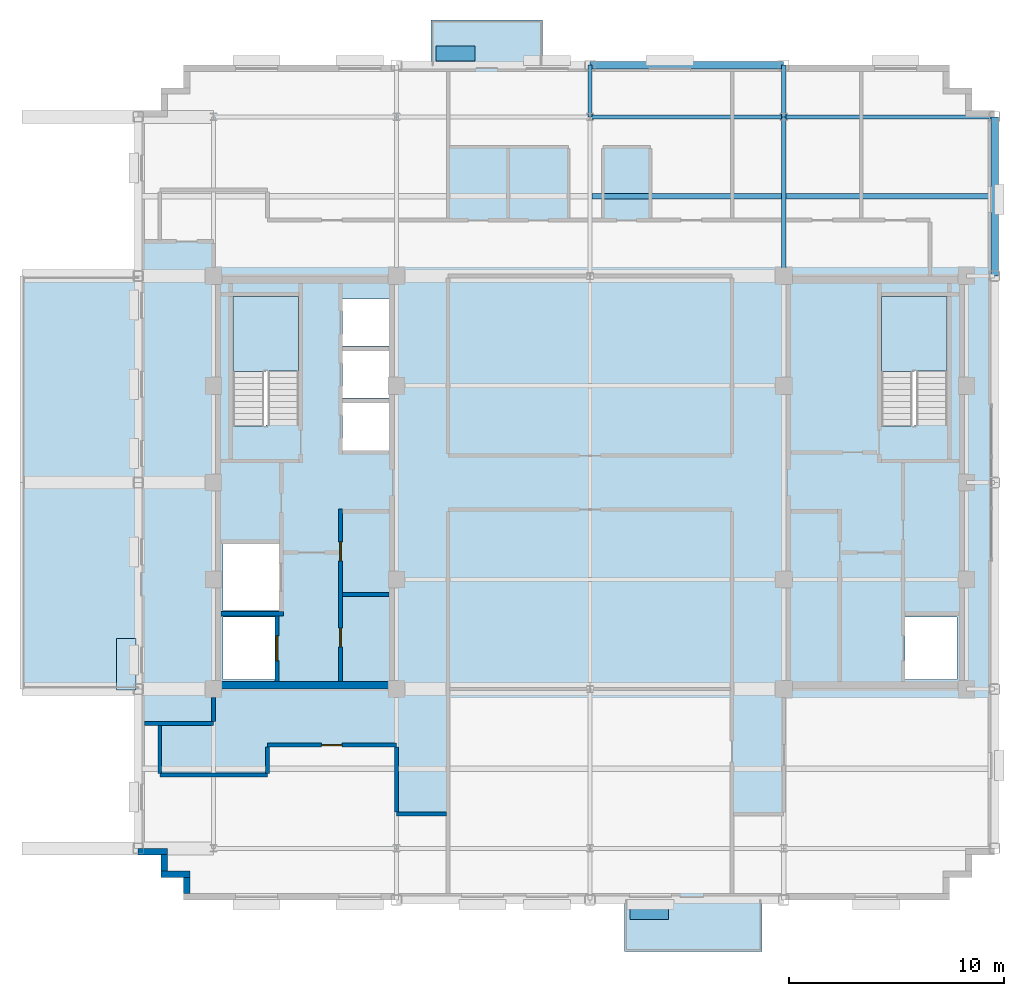
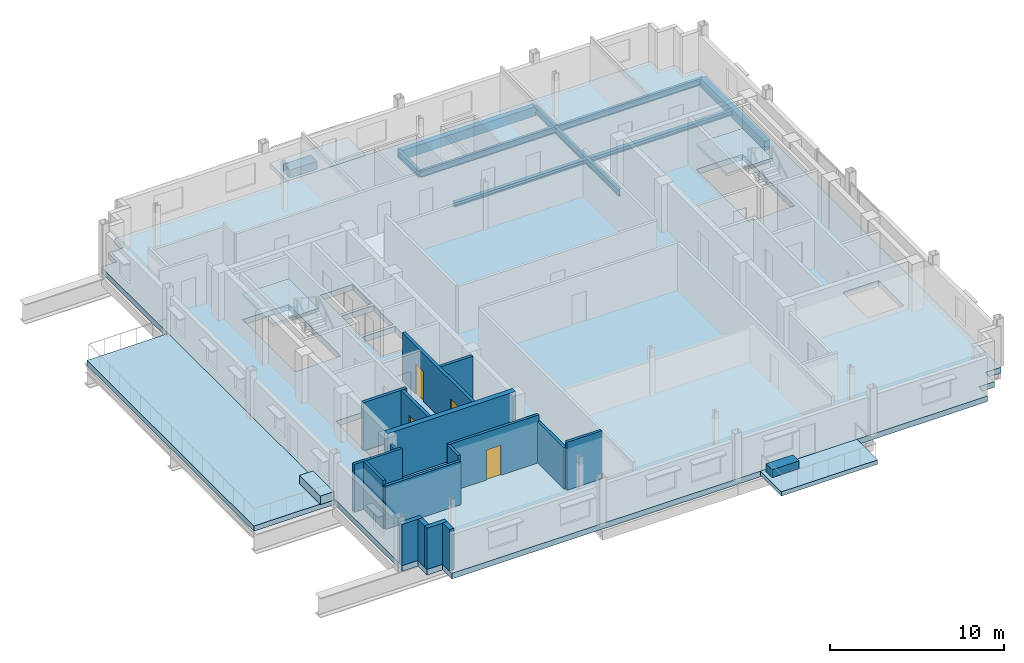
# One storey, part 5 of 14: 17 walls, 9 beams, 6 slabs, 4 doors, 3 plates, 4 openings, 2 elements without a shape of their own.
"""IFC4 building model written with IfcOpenShell, lengths in metres."""

import ifcopenshell
import ifcopenshell.guid

model = None  # the IFC model being written
_history = None  # IfcOwnerHistory: only IFC2X3 demands one
_inside = {}  # id of a spatial element -> (the spatial element, [elements in it])
_under = {}  # id of a project, library or spatial element -> (it, [spatial elements below it])
_declared = {}  # id of a project -> (the project, [libraries it declares])
_typed = {}  # id of a type object -> (the type object, [elements of that type])
_made_of = {}  # id of a material, layer set ... -> (it, [elements and type objects made of it])


def new_model(schema):
    """Start an empty IFC model of exactly this schema.

    Asked for "IFC4X3", IfcOpenShell would pick the latest addendum, in which some entities
    have other attributes; the version numbers below select the first issue.
    IFC2X3 requires an IfcOwnerHistory on every rooted entity: one is made here for all.
    """
    global model, _history
    if schema == "IFC4X3":
        model = ifcopenshell.file(schema_version=(4, 3, 0, 0))
    else:
        model = ifcopenshell.file(schema=schema)
    _inside.clear()
    _under.clear()
    _declared.clear()
    _typed.clear()
    _made_of.clear()
    _history = None
    if model.schema == "IFC2X3":
        org = make("IfcOrganization", Name="unknown")
        user = make(
            "IfcPersonAndOrganization",
            ThePerson=make("IfcPerson", FamilyName="unknown"),
            TheOrganization=org,
        )
        app = make(
            "IfcApplication",
            ApplicationDeveloper=org,
            Version="unknown",
            ApplicationFullName="unknown",
            ApplicationIdentifier="unknown",
        )
        _history = make(
            "IfcOwnerHistory",
            OwningUser=user,
            OwningApplication=app,
            ChangeAction="ADDED",
            CreationDate=0,
        )
    return model


def make(cls, **values):
    """One entity of the class cls with the attributes given. An attribute that is None is left unset."""
    return model.create_entity(
        cls, **{name: value for name, value in values.items() if value is not None}
    )


def rooted(cls, **values):
    """An entity with a GlobalId (a new one), such as an element, a storey or a relation."""
    return make(cls, GlobalId=ifcopenshell.guid.new(), OwnerHistory=_history, **values)


def si_unit(unit_type, name, prefix=None):
    """IfcSIUnit, for example si_unit("LENGTHUNIT", "METRE", prefix="MILLI")."""
    return make("IfcSIUnit", UnitType=unit_type, Prefix=prefix, Name=name)


def assignment(units):
    """IfcUnitAssignment: the units of a project."""
    return None if units is None else make("IfcUnitAssignment", Units=units)


def point(xyz):
    """IfcCartesianPoint."""
    return None if xyz is None else make("IfcCartesianPoint", Coordinates=xyz)


def direction(xyz):
    """IfcDirection."""
    return None if xyz is None else make("IfcDirection", DirectionRatios=xyz)


def frame(location, z_axis=None, x_axis=None):
    """IfcAxis2Placement3D, a coordinate frame: its origin and axes. An axis left out is left unset."""
    return make(
        "IfcAxis2Placement3D",
        Location=point(location),
        Axis=direction(z_axis),
        RefDirection=direction(x_axis),
    )


def frame_2d(location, x_axis=None):
    """IfcAxis2Placement2D, a coordinate frame in the plane: its origin and x axis."""
    return make(
        "IfcAxis2Placement2D", Location=point(location), RefDirection=direction(x_axis)
    )


def origin():
    """The frame at (0, 0, 0) with its axes left unset."""
    return frame((0.0, 0.0, 0.0))


def origin_2d():
    """The frame at (0, 0) in the plane with its x axis left unset."""
    return frame_2d((0.0, 0.0))


def place(relative_to, where):
    """IfcLocalPlacement: puts the frame where relative to a parent placement (None: the world)."""
    return make(
        "IfcLocalPlacement", PlacementRelTo=relative_to, RelativePlacement=where
    )


def context(
    kind, dimensions, precision=None, world=None, true_north=None, identifier=None
):
    """IfcGeometricRepresentationContext, for example the 3D "Model" context."""
    return make(
        "IfcGeometricRepresentationContext",
        ContextIdentifier=identifier,
        ContextType=kind,
        CoordinateSpaceDimension=dimensions,
        Precision=precision,
        WorldCoordinateSystem=world,
        TrueNorth=true_north,
    )


def subcontext(parent, identifier, kind, view, scale=None):
    """IfcGeometricRepresentationSubContext, for example "Body" below "Model"."""
    return make(
        "IfcGeometricRepresentationSubContext",
        ContextIdentifier=identifier,
        ContextType=kind,
        ParentContext=parent,
        TargetScale=scale,
        TargetView=view,
    )


def project(units=None, contexts=None):
    """IfcProject with its units and contexts."""
    return rooted(
        "IfcProject",
        Name="project",
        RepresentationContexts=contexts,
        UnitsInContext=assignment(units),
    )


def spatial(cls, under=None, at=None, **own):
    """A site, building, storey or space (cls), placed at a placement, below another one or the project."""
    s = rooted(cls, ObjectPlacement=at, **own)
    if under is not None:
        _under.setdefault(under.id(), (under, []))[1].append(s)
    return s


def polyline(points):
    """IfcPolyline through the points."""
    return make("IfcPolyline", Points=[point(p) for p in points])


def profile(cls, at=None, kind="AREA", **sizes):
    """A parametric profile (cls). Its sizes go by their IFC names, for example OverallWidth=200.0."""
    return make(cls, ProfileType=kind, Position=at, **sizes)


def rectangle(**sizes):
    """IfcRectangleProfileDef."""
    return profile("IfcRectangleProfileDef", **sizes)


def i_section(**sizes):
    """IfcIShapeProfileDef."""
    return profile("IfcIShapeProfileDef", **sizes)


def outline(outer, holes=None, kind="AREA"):
    """IfcArbitraryClosedProfileDef: a profile drawn as a closed curve; with holes, ...WithVoids."""
    if holes is None:
        return make("IfcArbitraryClosedProfileDef", ProfileType=kind, OuterCurve=outer)
    return make(
        "IfcArbitraryProfileDefWithVoids",
        ProfileType=kind,
        OuterCurve=outer,
        InnerCurves=holes,
    )


def extrude(swept, where, along, depth):
    """IfcExtrudedAreaSolid: the profile swept, set in the frame where, extruded along a direction by depth."""
    return make(
        "IfcExtrudedAreaSolid",
        SweptArea=swept,
        Position=where,
        ExtrudedDirection=direction(along),
        Depth=depth,
    )


def shape(context_of_items, identifier, shape_type, items):
    """IfcShapeRepresentation: the items that make up one representation, for example the "Body"."""
    return make(
        "IfcShapeRepresentation",
        ContextOfItems=context_of_items,
        RepresentationIdentifier=identifier,
        RepresentationType=shape_type,
        Items=items,
    )


def source(mapping_origin, context_of_items, identifier, shape_type, items):
    """IfcRepresentationMap: a shape defined once, which mapped items show again and again."""
    return make(
        "IfcRepresentationMap",
        MappingOrigin=mapping_origin,
        MappedRepresentation=shape(context_of_items, identifier, shape_type, items),
    )


def transform(
    local_origin,
    x_axis=None,
    y_axis=None,
    z_axis=None,
    scale=None,
    scale2=None,
    scale3=None,
    uniform=True,
):
    """IfcCartesianTransformationOperator3D, or its non-uniform kind. x_axis, y_axis, z_axis: its Axis1, 2, 3."""
    if uniform:
        return make(
            "IfcCartesianTransformationOperator3D",
            Axis1=direction(x_axis),
            Axis2=direction(y_axis),
            LocalOrigin=point(local_origin),
            Scale=scale,
            Axis3=direction(z_axis),
        )
    return make(
        "IfcCartesianTransformationOperator3DnonUniform",
        Axis1=direction(x_axis),
        Axis2=direction(y_axis),
        LocalOrigin=point(local_origin),
        Scale=scale,
        Axis3=direction(z_axis),
        Scale2=scale2,
        Scale3=scale3,
    )


def mapped(mapping_source, mapping_target):
    """IfcMappedItem: shows the shape of a source again, moved by a transform."""
    return make(
        "IfcMappedItem", MappingSource=mapping_source, MappingTarget=mapping_target
    )


def material(Name=None, Category=None):
    """IfcMaterial."""
    return make("IfcMaterial", Name=Name, Category=Category)


def layer(
    of_material, thickness, ventilated=None, Name=None, Category=None, Priority=None
):
    """IfcMaterialLayer: one layer of a wall or slab, of a material (None: an air gap)."""
    return make(
        "IfcMaterialLayer",
        Material=of_material,
        LayerThickness=thickness,
        IsVentilated=ventilated,
        Name=Name,
        Category=Category,
        Priority=Priority,
    )


def layer_set(layers, Name=None):
    """IfcMaterialLayerSet."""
    return make("IfcMaterialLayerSet", MaterialLayers=layers, LayerSetName=Name)


def material_profile(
    of_material, cross_section, Name=None, Category=None, Priority=None
):
    """IfcMaterialProfile: a cross section and its material."""
    return make(
        "IfcMaterialProfile",
        Name=Name,
        Material=of_material,
        Profile=cross_section,
        Priority=Priority,
        Category=Category,
    )


def profile_set(profiles, Name=None, composite=None):
    """IfcMaterialProfileSet."""
    return make(
        "IfcMaterialProfileSet",
        Name=Name,
        MaterialProfiles=profiles,
        CompositeProfile=composite,
    )


def made_of(thing, what):
    """Note that an element or type object is made of a material, layer set ...; save() writes the relation."""
    if what is not None:
        _made_of.setdefault(what.id(), (what, []))[1].append(thing)
    return thing


def type_object(cls, material=None, **own):
    """A type object (cls), such as IfcWallType, which elements share."""
    return made_of(rooted(cls, **own), material)


def type_shapes(of_type, sources):
    """Give a type object the sources (RepresentationMaps) that its elements show as mapped items."""
    of_type.RepresentationMaps = sources


def element(
    cls,
    number,
    at=None,
    inside=None,
    cuts=None,
    type_object=None,
    material=None,
    context=None,
    identifier="Body",
    shape_type=None,
    held_by="IfcProductDefinitionShape",
    body=None,
    shapes=None,
    **own,
):
    """One element of the class cls, such as IfcWall. Its Tag is "e" and its number.

    at: its placement. inside: the storey or other place that contains it. cuts: it is an
    opening in that element (IfcRelVoidsElement). A single representation is given by context,
    identifier, shape_type and body (its items); several are given by shapes. held_by: the class
    of the entity that holds the representations. save() writes the other relations.
    """
    e = rooted(cls, Tag="e%d" % number, ObjectPlacement=at, **own)
    if body is not None:
        shapes = [shape(context, identifier, shape_type, body)]
    if shapes is not None:
        e.Representation = make(held_by, Representations=shapes)
    if inside is not None:
        _inside.setdefault(inside.id(), (inside, []))[1].append(e)
    if cuts is not None:
        rooted(
            "IfcRelVoidsElement", RelatingBuildingElement=cuts, RelatedOpeningElement=e
        )
    if type_object is not None:
        _typed.setdefault(type_object.id(), (type_object, []))[1].append(e)
    return made_of(e, material)


def fill(opening, filler):
    """IfcRelFillsElement: the door or window that sits in an opening."""
    return rooted(
        "IfcRelFillsElement",
        RelatingOpeningElement=opening,
        RelatedBuildingElement=filler,
    )


def aggregate(whole, parts):
    """IfcRelAggregates: a whole, such as a stair, and the parts it consists of."""
    return rooted("IfcRelAggregates", RelatingObject=whole, RelatedObjects=parts)


def save(model, path):
    """Write the relations noted so far, then the file.

    IfcRelAggregates (storeys below a building ...), IfcRelContainedInSpatialStructure (elements
    in a storey), IfcRelDefinesByType, IfcRelAssociatesMaterial and IfcRelDeclares: one each for
    every whole, place, type object, material and project.
    """
    for whole, parts in _under.values():
        aggregate(whole, parts)
    for where, things in _inside.values():
        rooted(
            "IfcRelContainedInSpatialStructure",
            RelatedElements=things,
            RelatingStructure=where,
        )
    for kind, things in _typed.values():
        rooted("IfcRelDefinesByType", RelatedObjects=things, RelatingType=kind)
    for what, things in _made_of.values():
        rooted("IfcRelAssociatesMaterial", RelatedObjects=things, RelatingMaterial=what)
    for by, libraries in _declared.values():
        rooted("IfcRelDeclares", RelatingContext=by, RelatedDefinitions=libraries)
    model.write(path)


model = new_model("IFC4")

# Units and contexts
model_context = context("Model", 3, precision=1e-05, world=origin(), true_north=direction((0.0, 1.0)))
body_context = subcontext(model_context, "Body", "Model", "MODEL_VIEW")
ifc_project = project(units=[si_unit("LENGTHUNIT", "METRE"), si_unit("AREAUNIT", "SQUARE_METRE"), si_unit("VOLUMEUNIT", "CUBIC_METRE"), si_unit("PLANEANGLEUNIT", "RADIAN"), si_unit("MASSUNIT", "GRAM", prefix="KILO")], contexts=[model_context])

# Site, building, storey
site_placement = place(None, origin())
site = spatial("IfcSite", under=ifc_project, at=site_placement, CompositionType="ELEMENT")
building_placement = place(site_placement, origin())
building = spatial("IfcBuilding", under=site, at=building_placement, Name="Nuvemarco Arch Tower", CompositionType="ELEMENT")
storey_placement = place(building_placement, frame((0.0, 0.0, 245.64990234375)))
storey = spatial("IfcBuildingStorey", under=building, at=storey_placement, Name="L65", CompositionType="ELEMENT", Elevation=245.64990234375)

# Beams
ifc_material_1 = material(Name="Steel S355", Category="steel")
ifc_material_profile_1 = material_profile(ifc_material_1, i_section(OverallWidth=0.19189453125, OverallDepth=0.462890625, WebThickness=0.010498046875, FlangeThickness=0.017578125, FilletRadius=0.014892578125, at=origin_2d()), Name="W460x89")
ifc_profile_set_1 = profile_set([ifc_material_profile_1], Name="Steel S355")
beam_type_1 = type_object("IfcBeamType", Name="BM-GIRD-460", PredefinedType="BEAM", material=ifc_profile_set_1)
beam_1_placement = place(storey_placement, frame((0.0, 17.0, -0.63134765625), z_axis=(0.0, 1.0, 0.0), x_axis=(-1.0, 0.0, 0.0)))
element("IfcBeam", 1, at=beam_1_placement, inside=storey, type_object=beam_type_1, Name="L65 structural beam BGNS_L65_0_+0.0_+17.0", PredefinedType="BEAM", context=body_context, shape_type="SweptSolid", body=[
    extrude(i_section(OverallWidth=0.19189453125, OverallDepth=0.462890625, WebThickness=0.010498046875, FlangeThickness=0.017578125, FilletRadius=0.014892578125, at=origin_2d()), origin(), (0.0, 0.0, 1.0), 2.39990234375),
])
beam_2_placement = place(storey_placement, frame((9.0, 9.60009765625, -0.63134765625), z_axis=(0.0, 1.0, 0.0), x_axis=(-1.0, 0.0, 0.0)))
element("IfcBeam", 2, at=beam_2_placement, inside=storey, type_object=beam_type_1, Name="L65 structural beam BGNS_L65_0_+9.0_+9.6", PredefinedType="BEAM", context=body_context, shape_type="SweptSolid", body=[
    extrude(i_section(OverallWidth=0.19189453125, OverallDepth=0.462890625, WebThickness=0.010498046875, FlangeThickness=0.017578125, FilletRadius=0.014892578125, at=origin_2d()), origin(), (0.0, 0.0, 1.0), 7.39990234375),
])
beam_3_placement = place(storey_placement, frame((9.0, 17.0, -0.63134765625), z_axis=(0.0, 1.0, 0.0), x_axis=(-1.0, 0.0, 0.0)))
element("IfcBeam", 3, at=beam_3_placement, inside=storey, type_object=beam_type_1, Name="L65 structural beam BGNS_L65_0_+9.0_+17.0", PredefinedType="BEAM", context=body_context, shape_type="SweptSolid", body=[
    extrude(i_section(OverallWidth=0.19189453125, OverallDepth=0.462890625, WebThickness=0.010498046875, FlangeThickness=0.017578125, FilletRadius=0.014892578125, at=origin_2d()), origin(), (0.0, 0.0, 1.0), 2.39990234375),
])
beam_4_placement = place(storey_placement, frame((0.0, 17.0, -0.63134765625), z_axis=(1.0, 0.0, 0.0), x_axis=(0.0, 1.0, 0.0)))
element("IfcBeam", 4, at=beam_4_placement, inside=storey, type_object=beam_type_1, Name="L65 structural beam BGEW_L65_0_+17.0_+0.0", PredefinedType="BEAM", context=body_context, shape_type="SweptSolid", body=[
    extrude(i_section(OverallWidth=0.19189453125, OverallDepth=0.462890625, WebThickness=0.010498046875, FlangeThickness=0.017578125, FilletRadius=0.014892578125, at=origin_2d()), origin(), (0.0, 0.0, 1.0), 9.0),
])
beam_5_placement = place(storey_placement, frame((9.0, 17.0, -0.63134765625), z_axis=(1.0, 0.0, 0.0), x_axis=(0.0, 1.0, 0.0)))
element("IfcBeam", 5, at=beam_5_placement, inside=storey, type_object=beam_type_1, Name="L65 structural beam BGEW_L65_0_+17.0_+9.0", PredefinedType="BEAM", context=body_context, shape_type="SweptSolid", body=[
    extrude(i_section(OverallWidth=0.19189453125, OverallDepth=0.462890625, WebThickness=0.010498046875, FlangeThickness=0.017578125, FilletRadius=0.014892578125, at=origin_2d()), origin(), (0.0, 0.0, 1.0), 9.800048828125),
])
ifc_material_profile_2 = material_profile(ifc_material_1, i_section(OverallWidth=0.25390625, OverallDepth=0.305908203125, WebThickness=0.0087890625, FlangeThickness=0.0146484375, FilletRadius=0.014892578125, at=origin_2d()), Name="W310x79")
ifc_profile_set_2 = profile_set([ifc_material_profile_2], Name="Steel S355")
beam_type_2 = type_object("IfcBeamType", Name="BM-JOIST-310H", PredefinedType="JOIST", material=ifc_profile_set_2)
beam_6_placement = place(storey_placement, frame((0.095947265625, 13.300048828125, -0.552978515625), z_axis=(1.0, 0.0, 0.0), x_axis=(0.0, 1.0, 0.0)))
element("IfcBeam", 6, at=beam_6_placement, inside=storey, type_object=beam_type_2, Name="L65 structural beam BJ_L65_0_+13.3_+0.0", PredefinedType="JOIST", context=body_context, shape_type="SweptSolid", body=[
    extrude(i_section(OverallWidth=0.25390625, OverallDepth=0.305908203125, WebThickness=0.0087890625, FlangeThickness=0.0146484375, FilletRadius=0.014892578125, at=origin_2d()), origin(), (0.0, 0.0, 1.0), 8.80810546875),
])
beam_7_placement = place(storey_placement, frame((9.095947265625, 13.300048828125, -0.552978515625), z_axis=(1.0, 0.0, 0.0), x_axis=(0.0, 1.0, 0.0)))
element("IfcBeam", 7, at=beam_7_placement, inside=storey, type_object=beam_type_2, Name="L65 structural beam BJ_L65_0_+13.3_+9.0", PredefinedType="JOIST", context=body_context, shape_type="SweptSolid", body=[
    extrude(i_section(OverallWidth=0.25390625, OverallDepth=0.305908203125, WebThickness=0.0087890625, FlangeThickness=0.0146484375, FilletRadius=0.014892578125, at=origin_2d()), origin(), (0.0, 0.0, 1.0), 9.529052734375),
])
ifc_material_2 = material(Name="Precast concrete C45/55", Category="concrete")
ifc_material_profile_3 = material_profile(ifc_material_2, rectangle(XDim=0.35009765625, YDim=0.64990234375, at=origin_2d()), Name="PC-SP-350x650")
ifc_profile_set_3 = profile_set([ifc_material_profile_3], Name="Precast concrete C45/55")
beam_type_3 = type_object("IfcBeamType", Name="BM-SPAN-RC", PredefinedType="SPANDREL", material=ifc_profile_set_3)
beam_8_placement = place(storey_placement, frame((18.800048828125, 9.60009765625, -0.724853515625), z_axis=(0.0, 1.0, 0.0), x_axis=(-1.0, 0.0, 0.0)))
element("IfcBeam", 8, at=beam_8_placement, inside=storey, type_object=beam_type_3, Name="L65 structural beam BGNS_L65_0_+18.8_+9.6", PredefinedType="SPANDREL", context=body_context, shape_type="SweptSolid", body=[
    extrude(rectangle(XDim=0.35009765625, YDim=0.64990234375, at=origin_2d()), origin(), (0.0, 0.0, 1.0), 7.39990234375),
])
beam_9_placement = place(storey_placement, frame((0.0, 19.39990234375, -0.724853515625), z_axis=(1.0, 0.0, 0.0), x_axis=(0.0, 1.0, 0.0)))
element("IfcBeam", 9, at=beam_9_placement, inside=storey, type_object=beam_type_3, Name="L65 structural beam BGEW_L65_0_+19.4_+0.0", PredefinedType="SPANDREL", context=body_context, shape_type="SweptSolid", body=[
    extrude(rectangle(XDim=0.35009765625, YDim=0.64990234375, at=origin_2d()), origin(), (0.0, 0.0, 1.0), 9.0),
])

# Slab
ifc_material_3 = material(Name="Concrete C60/75", Category="concrete")
ifc_layer_1 = layer(ifc_material_3, 0.39990234375, Name="SL-FLR-400")
ifc_layer_set_1 = layer_set([ifc_layer_1], Name="Concrete C60/75")
slab_type_1 = type_object("IfcSlabType", Name="SL-FLR-400", PredefinedType="FLOOR", material=ifc_layer_set_1)
slab_1_placement = place(storey_placement, frame((0.0, 0.0, -0.39990234375)))
element("IfcSlab", 10, at=slab_1_placement, inside=storey, type_object=slab_type_1, Name="L65 structural floor slab", PredefinedType="FLOOR", context=body_context, shape_type="SweptSolid", body=[
    extrude(outline(polyline([(-18.89990234375, -19.39990234375), (16.699951171875, -19.39990234375), (16.699951171875, -18.35009765625), (17.75, -18.35009765625), (17.75, -17.300048828125), (18.800048828125, -17.300048828125), (18.800048828125, 17.300048828125), (17.75, 17.300048828125), (17.75, 18.35009765625), (16.699951171875, 18.35009765625), (16.699951171875, 19.39990234375), (-18.89990234375, 19.39990234375), (-18.89990234375, 18.35009765625), (-19.949951171875, 18.35009765625), (-19.949951171875, 17.300048828125), (-21.0, 17.300048828125), (-21.0, -17.300048828125), (-19.949951171875, -17.300048828125), (-19.949951171875, -18.35009765625), (-18.89990234375, -18.35009765625), (-18.89990234375, -19.39990234375)]), holes=[polyline([(-13.5400390625, 2.669921875), (-13.5400390625, 8.64990234375), (-16.60009765625, 8.64990234375), (-16.60009765625, 2.630615234375), (-15.070068359375, 2.630615234375), (-15.070068359375, 2.669921875), (-13.5400390625, 2.669921875)]), polyline([(16.60009765625, 2.669921875), (16.60009765625, 8.64990234375), (13.5400390625, 8.64990234375), (13.5400390625, 2.630615234375), (15.070068359375, 2.630615234375), (15.070068359375, 2.669921875), (16.60009765625, 2.669921875)]), polyline([(-17.050048828125, -9.14990234375), (-14.64990234375, -9.14990234375), (-14.64990234375, -6.25), (-17.050048828125, -6.25), (-17.050048828125, -9.14990234375)]), polyline([(-17.050048828125, -5.949951171875), (-14.449951171875, -5.949951171875), (-14.449951171875, -2.85009765625), (-17.050048828125, -2.85009765625), (-17.050048828125, -5.949951171875)]), polyline([(-11.5, 1.5), (-9.35009765625, 1.5), (-9.35009765625, 3.699951171875), (-11.5, 3.699951171875), (-11.5, 1.5)]), polyline([(-11.5, 3.919921875), (-9.35009765625, 3.919921875), (-9.35009765625, 6.1201171875), (-11.5, 6.1201171875), (-11.5, 3.919921875)]), polyline([(-11.5, 6.340087890625), (-9.35009765625, 6.340087890625), (-9.35009765625, 8.5400390625), (-11.5, 8.5400390625), (-11.5, 6.340087890625)]), polyline([(14.64990234375, -9.14990234375), (17.050048828125, -9.14990234375), (17.050048828125, -6.25), (14.64990234375, -6.25), (14.64990234375, -9.14990234375)])]), origin(), (0.0, 0.0, 1.0), 0.39990234375),
])

# Stair, slab
stair_type = type_object("IfcStairType", Name="ST-CORE-20R", PredefinedType="HALF_TURN_STAIR", material=ifc_material_2)
stair_1_placement = place(storey_placement, origin())
stair_1 = element("IfcStair", 11, at=stair_1_placement, inside=storey, type_object=stair_type, Name="L65 Protected Exit Stair ST-1", PredefinedType="HALF_TURN_STAIR")
ifc_layer_2 = layer(ifc_material_2, 0.199951171875, Name="SL-LANDING-200")
ifc_layer_set_2 = layer_set([ifc_layer_2], Name="Precast concrete C45/55")
slab_type_2 = type_object("IfcSlabType", Name="SL-LANDING-200", PredefinedType="LANDING", material=ifc_layer_set_2)
slab_2_placement = place(storey_placement, frame((0.0, 0.0, 1.625)))
slab_2 = element("IfcSlab", 12, at=slab_2_placement, type_object=slab_type_2, Name="ST-20R landing 1", PredefinedType="LANDING", context=body_context, shape_type="SweptSolid", body=[
    extrude(outline(polyline([(-13.5400390625, 5.189453125), (-13.5400390625, 8.64990234375), (-16.60009765625, 8.64990234375), (-16.60009765625, 5.169921875), (-15.070068359375, 5.169921875), (-15.070068359375, 5.189453125), (-13.5400390625, 5.189453125)])), origin(), (0.0, 0.0, 1.0), 0.2001953125),
])
aggregate(stair_1, [slab_2])

stair_2_placement = place(storey_placement, origin())
stair_2 = element("IfcStair", 13, at=stair_2_placement, inside=storey, type_object=stair_type, Name="L65 Protected Exit Stair ST-2", PredefinedType="HALF_TURN_STAIR")
slab_3_placement = place(storey_placement, frame((0.0, 0.0, 1.625)))
slab_3 = element("IfcSlab", 14, at=slab_3_placement, type_object=slab_type_2, Name="ST-20R landing 1", PredefinedType="LANDING", context=body_context, shape_type="SweptSolid", body=[
    extrude(outline(polyline([(16.60009765625, 5.189453125), (16.60009765625, 8.64990234375), (13.5400390625, 8.64990234375), (13.5400390625, 5.169921875), (15.070068359375, 5.169921875), (15.070068359375, 5.189453125), (16.60009765625, 5.189453125)])), origin(), (0.0, 0.0, 1.0), 0.2001953125),
])
aggregate(stair_2, [slab_3])

# Slabs
ifc_material_4 = material(Name="Concrete C50/60", Category="concrete")
ifc_layer_3 = layer(ifc_material_4, 0.264892578125, Name="SL-TB1")
ifc_layer_set_3 = layer_set([ifc_layer_3], Name="Concrete C50/60")
slab_type_3 = type_object("IfcSlabType", Name="SL-TB1", PredefinedType="FLOOR", material=ifc_layer_set_3)
slab_4_placement = place(storey_placement, frame((0.0, 0.0, -0.264892578125)))
element("IfcSlab", 15, at=slab_4_placement, inside=storey, type_object=slab_type_3, Name="L65 outdoor tree balcony slab 3", PredefinedType="FLOOR", context=body_context, shape_type="SweptSolid", body=[
    extrude(outline(polyline([(-7.39990234375, 19.39990234375), (-2.199951171875, 19.39990234375), (-2.199951171875, 21.5), (-7.39990234375, 21.5), (-7.39990234375, 19.39990234375)])), origin(), (0.0, 0.0, 1.0), 0.264892578125),
])
ifc_layer_4 = layer(ifc_material_4, 0.360107421875, Name="SL-TR3")
ifc_layer_set_4 = layer_set([ifc_layer_4], Name="Concrete C50/60")
slab_type_4 = type_object("IfcSlabType", Name="SL-TR3", PredefinedType="FLOOR", material=ifc_layer_set_4)
slab_5_placement = place(storey_placement, frame((0.0, 0.0, -0.35986328125)))
element("IfcSlab", 16, at=slab_5_placement, inside=storey, type_object=slab_type_4, Name="L65 outdoor setback terrace slab 1", PredefinedType="FLOOR", context=body_context, shape_type="SweptSolid", body=[
    extrude(outline(polyline([(-26.39990234375, -9.60009765625), (-21.0, -9.60009765625), (-21.0, 9.60009765625), (-26.39990234375, 9.60009765625), (-26.39990234375, -9.60009765625)])), origin(), (0.0, 0.0, 1.0), 0.35986328125),
])
ifc_layer_5 = layer(ifc_material_4, 0.294921875, Name="SL-TR4")
ifc_layer_set_5 = layer_set([ifc_layer_5], Name="Concrete C50/60")
slab_type_5 = type_object("IfcSlabType", Name="SL-TR4", PredefinedType="FLOOR", material=ifc_layer_set_5)
slab_6_placement = place(storey_placement, frame((0.0, 0.0, -0.294921875)))
element("IfcSlab", 17, at=slab_6_placement, inside=storey, type_object=slab_type_5, Name="L65 outdoor spiral terrace slab 2", PredefinedType="FLOOR", context=body_context, shape_type="SweptSolid", body=[
    extrude(outline(polyline([(1.60009765625, -21.800048828125), (8.0, -21.800048828125), (8.0, -19.39990234375), (1.60009765625, -19.39990234375), (1.60009765625, -21.800048828125)])), origin(), (0.0, 0.0, 1.0), 0.294921875),
])

# Plates
ifc_layer_6 = layer(ifc_material_2, 0.60009765625, Name="Setback Terrace Structural Planter")
ifc_layer_set_6 = layer_set([ifc_layer_6], Name="Precast concrete C45/55")
plate_type_1 = type_object("IfcPlateType", Name="Setback Terrace Structural Planter", PredefinedType="USERDEFINED", material=ifc_layer_set_6)
shared_shape_1 = source(origin(), body_context, "Body", "SweptSolid", [
    extrude(rectangle(XDim=2.39990234375, YDim=0.89990234375, at=origin_2d()), origin(), (0.0, 0.0, 1.0), 0.60009765625),
])
type_shapes(plate_type_1, [shared_shape_1])
plate_placement = place(storey_placement, frame((-21.550048828125, -8.449951171875, 0.0), z_axis=(0.0, 0.0, 1.0), x_axis=(0.0, 1.0, 0.0)))
element("IfcPlate", 18, at=plate_placement, inside=storey, type_object=plate_type_1, Name="L65 Setback Terrace Structural Planter", ObjectType="PLANTER", PredefinedType="USERDEFINED", context=body_context, shape_type="MappedRepresentation", body=[
    mapped(shared_shape_1, transform((0.0, 0.0, 0.0), scale=1.0)),
])
ifc_layer_7 = layer(ifc_material_2, 0.550048828125, Name="Tree Balcony Structural Planter")
ifc_layer_set_7 = layer_set([ifc_layer_7], Name="Precast concrete C45/55")
plate_type_2 = type_object("IfcPlateType", Name="Tree Balcony Structural Planter", PredefinedType="USERDEFINED", material=ifc_layer_set_7)
shared_shape_2 = source(origin(), body_context, "Body", "SweptSolid", [
    extrude(rectangle(XDim=1.800048828125, YDim=0.699951171875, at=origin_2d()), origin(), (0.0, 0.0, 1.0), 0.550048828125),
])
type_shapes(plate_type_2, [shared_shape_2])
for number, where, z_axis, x_axis, name in (
    (19, (2.75, -19.949951171875, 0.0), (0.0, 0.0, 1.0), (1.0, 0.0, 0.0), "L65 Tree Balcony Structural Planter"),
    (20, (-6.25, 19.949951171875, 0.0), (0.0, 0.0, 1.0), (1.0, 0.0, 0.0), "L65 Tree Balcony Structural Planter"),
):
    element("IfcPlate", number, at=place(storey_placement, frame(where, z_axis=z_axis, x_axis=x_axis)), inside=storey, type_object=plate_type_2, Name=name, ObjectType="PLANTER", PredefinedType="USERDEFINED", context=body_context, shape_type="MappedRepresentation", body=[
        mapped(shared_shape_2, transform((0.0, 0.0, 0.0), scale=1.0)),
    ])

# Walls
ifc_layer_8 = layer(ifc_material_2, 0.300048828125, Name="EW-HIGH-300")
ifc_layer_set_8 = layer_set([ifc_layer_8], Name="Precast concrete C45/55")
wall_type_1 = type_object("IfcWallType", Name="EW-HIGH-300", PredefinedType="STANDARD", material=ifc_layer_set_8)
wall_1_placement = place(storey_placement, frame((-21.0, -17.14990234375, 0.0), z_axis=(0.0, 0.0, 1.0), x_axis=(1.0, 0.0, 0.0)))
element("IfcWall", 21, at=wall_1_placement, inside=storey, type_object=wall_type_1, Name="L65 exterior precast facade wall 17", PredefinedType="STANDARD", context=body_context, shape_type="SweptSolid", body=[
    extrude(rectangle(XDim=1.35009765625, YDim=0.300048828125, at=frame_2d((0.675048828125, 0.0))), origin(), (0.0, 0.0, 1.0), 2.89208984375),
])
wall_2_placement = place(storey_placement, frame((-19.800048828125, -18.053955078125, 0.0), z_axis=(0.0, 0.0, 1.0), x_axis=(0.0, 1.0, 0.0)))
element("IfcWall", 22, at=wall_2_placement, inside=storey, type_object=wall_type_1, Name="L65 exterior precast facade wall 18", PredefinedType="STANDARD", context=body_context, shape_type="SweptSolid", body=[
    extrude(rectangle(XDim=0.758056640625, YDim=0.300048828125, at=frame_2d((0.37890625, 0.0))), origin(), (0.0, 0.0, 1.0), 2.89208984375),
])
wall_3_placement = place(storey_placement, frame((-19.949951171875, -18.199951171875, 0.0), z_axis=(0.0, 0.0, 1.0), x_axis=(1.0, 0.0, 0.0)))
element("IfcWall", 23, at=wall_3_placement, inside=storey, type_object=wall_type_1, Name="L65 exterior precast facade wall 19", PredefinedType="STANDARD", context=body_context, shape_type="SweptSolid", body=[
    extrude(rectangle(XDim=1.349853515625, YDim=0.300048828125, at=frame_2d((0.6748046875, 0.0))), origin(), (0.0, 0.0, 1.0), 2.89208984375),
])
wall_4_placement = place(storey_placement, frame((-18.75, -19.10400390625, 0.0), z_axis=(0.0, 0.0, 1.0), x_axis=(0.0, 1.0, 0.0)))
element("IfcWall", 24, at=wall_4_placement, inside=storey, type_object=wall_type_1, Name="L65 exterior precast facade wall 20", PredefinedType="STANDARD", context=body_context, shape_type="SweptSolid", body=[
    extrude(rectangle(XDim=0.758056640625, YDim=0.300048828125, at=frame_2d((0.37890625, 0.0))), origin(), (0.0, 0.0, 1.0), 2.89208984375),
])
ifc_layer_9 = layer(ifc_material_4, 0.35009765625, Name="WL-CORE-350")
ifc_layer_set_9 = layer_set([ifc_layer_9], Name="Concrete C50/60")
wall_type_2 = type_object("IfcWallType", Name="WL-CORE-350", PredefinedType="SHEAR", material=ifc_layer_set_9)
wall_5_placement = place(storey_placement, frame((-17.5, -9.425048828125, 0.0), z_axis=(0.0, 0.0, 1.0), x_axis=(1.0, 0.0, 0.0)))
element("IfcWall", 25, at=wall_5_placement, inside=storey, type_object=wall_type_2, Name="L65 W-core shear wall S", PredefinedType="SHEAR", context=body_context, shape_type="SweptSolid", body=[
    extrude(rectangle(XDim=8.5, YDim=0.35009765625, at=frame_2d((4.25, 0.0))), origin(), (0.0, 0.0, 1.0), 3.3701171875),
])
ifc_material_5 = material(Name="Fire-rated gypsum drywall partition")
ifc_layer_10 = layer(ifc_material_5, 0.179931640625, Name="WL-CORR-180")
ifc_layer_set_10 = layer_set([ifc_layer_10], Name="Fire-rated gypsum drywall partition")
wall_type_3 = type_object("IfcWallType", Name="WL-CORR-180", PredefinedType="PARTITIONING", material=ifc_layer_set_10)
wall_6_placement = place(storey_placement, frame((-11.5048828125, -5.199951171875, 0.0), z_axis=(0.0, 0.0, 1.0), x_axis=(1.0, 0.0, 0.0)))
element("IfcWall", 26, at=wall_6_placement, inside=storey, type_object=wall_type_3, Name="L65 interior wall IW-L65-W-RECK1", PredefinedType="PARTITIONING", context=body_context, shape_type="SweptSolid", body=[
    extrude(rectangle(XDim=2.159912109375, YDim=0.179931640625, at=frame_2d((1.080078125, 0.0))), origin(), (0.0, 0.0, 1.0), 3.360107421875),
])
wall_7_placement = place(storey_placement, frame((-9.0, -15.39990234375, 0.0), z_axis=(0.0, 0.0, 1.0), x_axis=(1.0, 0.0, 0.0)))
element("IfcWall", 27, at=wall_7_placement, inside=storey, type_object=wall_type_3, Name="L65 interior wall IW-L65-001", PredefinedType="PARTITIONING", context=body_context, shape_type="SweptSolid", body=[
    extrude(rectangle(XDim=2.323974609375, YDim=0.179931640625, at=frame_2d((1.162109375, 0.0))), origin(), (0.0, 0.0, 1.0), 3.360107421875),
])
wall_8_placement = place(storey_placement, frame((-20.0, -13.60009765625, 0.0), z_axis=(0.0, 0.0, 1.0), x_axis=(1.0, 0.0, 0.0)))
element("IfcWall", 28, at=wall_8_placement, inside=storey, type_object=wall_type_3, Name="L65 interior wall IW-L65-003", PredefinedType="PARTITIONING", context=body_context, shape_type="SweptSolid", body=[
    extrude(rectangle(XDim=5.0, YDim=0.179931640625, at=frame_2d((2.5, 0.0))), origin(), (0.0, 0.0, 1.0), 3.049072265625),
])

# Wall, opening, door
wall_9_placement = place(storey_placement, frame((-15.0, -12.199951171875, 0.0), z_axis=(0.0, 0.0, 1.0), x_axis=(1.0, 0.0, 0.0)))
wall_9 = element("IfcWall", 29, at=wall_9_placement, inside=storey, type_object=wall_type_3, Name="L65 interior wall IW-L65-004", PredefinedType="PARTITIONING", context=body_context, shape_type="SweptSolid", body=[
    extrude(rectangle(XDim=6.0, YDim=0.179931640625, at=frame_2d((3.0, 0.0))), origin(), (0.0, 0.0, 1.0), 3.360107421875),
])
opening_1_placement = place(wall_9_placement, frame((2.52001953125, 0.0, 0.0)))
opening_1 = element("IfcOpeningElement", 30, at=opening_1_placement, cuts=wall_9, Name="Opening FD-5", PredefinedType="OPENING", context=body_context, shape_type="SweptSolid", body=[
    extrude(rectangle(XDim=0.9599609375, YDim=2.10009765625, at=frame_2d((0.47998046875, 1.050048828125))), frame((0.0, 0.099853515625, 0.0), z_axis=(0.0, -1.0, 0.0), x_axis=(1.0, 0.0, 0.0)), (0.0, 0.0, 1.0), 0.199951171875),
])
ifc_material_6 = material(Name="Timber fire door", Category="wood")
door_type_1 = type_object("IfcDoorType", Name="DR-CORR-FD", OperationType="NOTDEFINED", PredefinedType="DOOR", material=ifc_material_6)
shared_shape_3 = source(origin(), body_context, "Body", "SweptSolid", [
    extrude(rectangle(XDim=0.9599609375, YDim=2.10009765625, at=frame_2d((0.47998046875, 1.050048828125))), frame((0.0, 0.02490234375, 0.0), z_axis=(0.0, -1.0, 0.0), x_axis=(1.0, 0.0, 0.0)), (0.0, 0.0, 1.0), 0.050048828125),
])
type_shapes(door_type_1, [shared_shape_3])
door_1_placement = place(opening_1_placement, origin())
door_1 = element("IfcDoor", 31, at=door_1_placement, inside=storey, type_object=door_type_1, Name="L65 door DR-L65-S_1", OperationType="SINGLE_SWING_LEFT", OverallHeight=2.10009765625, OverallWidth=0.9599609375, PredefinedType="DOOR", context=body_context, shape_type="MappedRepresentation", body=[
    mapped(shared_shape_3, transform((0.0, 0.0, 0.0), scale=1.0)),
])
fill(opening_1, door_1)

# Walls
wall_10_placement = place(storey_placement, frame((-20.699951171875, -11.199951171875, 0.0), z_axis=(0.0, 0.0, 1.0), x_axis=(1.0, 0.0, 0.0)))
element("IfcWall", 32, at=wall_10_placement, inside=storey, type_object=wall_type_3, Name="L65 interior wall IW-L65-005", PredefinedType="PARTITIONING", context=body_context, shape_type="SweptSolid", body=[
    extrude(rectangle(XDim=3.199951171875, YDim=0.179931640625, at=frame_2d((1.60009765625, 0.0))), origin(), (0.0, 0.0, 1.0), 3.360107421875),
])
wall_11_placement = place(storey_placement, frame((-20.0, -13.513916015625, 0.0), z_axis=(0.0, 0.0, 1.0), x_axis=(0.0, 1.0, 0.0)))
element("IfcWall", 33, at=wall_11_placement, inside=storey, type_object=wall_type_3, Name="L65 interior wall IW-L65-017", PredefinedType="PARTITIONING", context=body_context, shape_type="SweptSolid", body=[
    extrude(rectangle(XDim=2.22802734375, YDim=0.179931640625, at=frame_2d((1.114013671875, 0.0))), origin(), (0.0, 0.0, 1.0), 3.360107421875),
])
wall_12_placement = place(storey_placement, frame((-17.5, -11.114013671875, 0.0), z_axis=(0.0, 0.0, 1.0), x_axis=(0.0, 1.0, 0.0)))
element("IfcWall", 34, at=wall_12_placement, inside=storey, type_object=wall_type_3, Name="L65 interior wall IW-L65-019", PredefinedType="PARTITIONING", context=body_context, shape_type="SweptSolid", body=[
    extrude(rectangle(XDim=1.117919921875, YDim=0.179931640625, at=frame_2d((0.55908203125, 0.0))), origin(), (0.0, 0.0, 1.0), 2.89208984375),
])
wall_13_placement = place(storey_placement, frame((-15.0, -13.513916015625, 0.0), z_axis=(0.0, 0.0, 1.0), x_axis=(0.0, 1.0, 0.0)))
element("IfcWall", 35, at=wall_13_placement, inside=storey, type_object=wall_type_3, Name="L65 interior wall IW-L65-021", PredefinedType="PARTITIONING", context=body_context, shape_type="SweptSolid", body=[
    extrude(rectangle(XDim=1.22802734375, YDim=0.179931640625, at=frame_2d((0.614013671875, 0.0))), origin(), (0.0, 0.0, 1.0), 3.360107421875),
])
wall_14_placement = place(storey_placement, frame((-9.0, -15.31396484375, 0.0), z_axis=(0.0, 0.0, 1.0), x_axis=(0.0, 1.0, 0.0)))
element("IfcWall", 36, at=wall_14_placement, inside=storey, type_object=wall_type_3, Name="L65 interior wall IW-L65-023", PredefinedType="PARTITIONING", context=body_context, shape_type="SweptSolid", body=[
    extrude(rectangle(XDim=3.028076171875, YDim=0.179931640625, at=frame_2d((1.51416015625, 0.0))), origin(), (0.0, 0.0, 1.0), 2.89208984375),
])

# Wall, opening, door
ifc_layer_11 = layer(ifc_material_4, 0.199951171875, Name="WL-SHAFT-220")
ifc_layer_set_11 = layer_set([ifc_layer_11], Name="Concrete C50/60")
wall_type_4 = type_object("IfcWallType", Name="WL-SHAFT-220", PredefinedType="SHEAR", material=ifc_layer_set_11)
wall_15_placement = place(storey_placement, frame((-14.550048828125, -9.2548828125, 0.0), z_axis=(0.0, 0.0, 1.0), x_axis=(0.0, 1.0, 0.0)))
wall_15 = element("IfcWall", 37, at=wall_15_placement, inside=storey, type_object=wall_type_4, Name="L65 structural shaft wall SW-L65-W-SHE", PredefinedType="SHEAR", context=body_context, shape_type="SweptSolid", body=[
    extrude(rectangle(XDim=3.059814453125, YDim=0.199951171875, at=frame_2d((1.52978515625, 0.0))), origin(), (0.0, 0.0, 1.0), 3.3701171875),
])
opening_2_placement = place(wall_15_placement, frame((0.97998046875, 0.0, 0.0)))
opening_2 = element("IfcOpeningElement", 38, at=opening_2_placement, cuts=wall_15, Name="Opening LD-2", PredefinedType="OPENING", context=body_context, shape_type="SweptSolid", body=[
    extrude(rectangle(XDim=1.14990234375, YDim=2.14990234375, at=frame_2d((0.574951171875, 1.074951171875))), frame((0.0, 0.10986328125, 0.0), z_axis=(0.0, -1.0, 0.0), x_axis=(1.0, 0.0, 0.0)), (0.0, 0.0, 1.0), 0.219970703125),
])
ifc_material_7 = material(Name="Stainless steel lift door", Category="steel")
door_type_2 = type_object("IfcDoorType", Name="DR-LIFT-FIRE", OperationType="DOUBLE_DOOR_SLIDING", PredefinedType="DOOR", material=ifc_material_7)
shared_shape_4 = source(origin(), body_context, "Body", "SweptSolid", [
    extrude(rectangle(XDim=1.14990234375, YDim=2.14990234375, at=frame_2d((0.574951171875, 1.074951171875))), frame((0.0, 0.02490234375, 0.0), z_axis=(0.0, -1.0, 0.0), x_axis=(1.0, 0.0, 0.0)), (0.0, 0.0, 1.0), 0.050048828125),
])
type_shapes(door_type_2, [shared_shape_4])
door_2_placement = place(opening_2_placement, origin())
door_2 = element("IfcDoor", 39, at=door_2_placement, inside=storey, type_object=door_type_2, Name="L65 Lift landing sliding door FFL-1", OperationType="DOUBLE_DOOR_SLIDING", OverallHeight=2.14990234375, OverallWidth=1.14990234375, PredefinedType="DOOR", context=body_context, shape_type="MappedRepresentation", body=[
    mapped(shared_shape_4, transform((0.0, 0.0, 0.0), scale=1.0)),
])
fill(opening_2, door_2)

# Wall
wall_16_placement = place(storey_placement, frame((-17.155029296875, -6.10009765625, 0.0), z_axis=(0.0, 0.0, 1.0), x_axis=(1.0, 0.0, 0.0)))
element("IfcWall", 40, at=wall_16_placement, inside=storey, type_object=wall_type_4, Name="L65 structural shaft wall SW-L65-W-SH1", PredefinedType="SHEAR", context=body_context, shape_type="SweptSolid", body=[
    extrude(rectangle(XDim=2.905029296875, YDim=0.199951171875, at=frame_2d((1.45263671875, 0.0))), origin(), (0.0, 0.0, 1.0), 3.3701171875),
])

# Wall, openings, doors
wall_17_placement = place(storey_placement, frame((-11.60009765625, -9.2548828125, 0.0), z_axis=(0.0, 0.0, 1.0), x_axis=(0.0, 1.0, 0.0)))
wall_17 = element("IfcWall", 41, at=wall_17_placement, inside=storey, type_object=wall_type_4, Name="L65 structural shaft wall SW-L65-W-PLW", PredefinedType="SHEAR", context=body_context, shape_type="SweptSolid", body=[
    extrude(rectangle(XDim=8.02490234375, YDim=0.199951171875, at=frame_2d((4.012451171875, 0.0))), origin(), (0.0, 0.0, 1.0), 3.3701171875),
])
opening_3_placement = place(wall_17_placement, frame((1.614990234375, 0.0, 0.0)))
opening_3 = element("IfcOpeningElement", 42, at=opening_3_placement, cuts=wall_17, Name="Opening FD-4", PredefinedType="OPENING", context=body_context, shape_type="SweptSolid", body=[
    extrude(rectangle(XDim=0.8798828125, YDim=2.10009765625, at=frame_2d((0.43994140625, 1.050048828125))), frame((0.0, 0.10986328125, 0.0), z_axis=(0.0, -1.0, 0.0), x_axis=(1.0, 0.0, 0.0)), (0.0, 0.0, 1.0), 0.219970703125),
])
opening_4_placement = place(wall_17_placement, frame((5.614990234375, 0.0, 0.0)))
opening_4 = element("IfcOpeningElement", 43, at=opening_4_placement, cuts=wall_17, Name="Opening FD-4", PredefinedType="OPENING", context=body_context, shape_type="SweptSolid", body=[
    extrude(rectangle(XDim=0.8798828125, YDim=2.10009765625, at=frame_2d((0.43994140625, 1.050048828125))), frame((0.0, 0.10986328125, 0.0), z_axis=(0.0, -1.0, 0.0), x_axis=(1.0, 0.0, 0.0)), (0.0, 0.0, 1.0), 0.219970703125),
])
ifc_material_8 = material(Name="Anodised steel fire door", Category="steel")
door_type_3 = type_object("IfcDoorType", Name="DR-RISER-FD", OperationType="NOTDEFINED", PredefinedType="DOOR", material=ifc_material_8)
shared_shape_5 = source(origin(), body_context, "Body", "SweptSolid", [
    extrude(rectangle(XDim=0.8798828125, YDim=2.10009765625, at=frame_2d((0.43994140625, 1.050048828125))), frame((0.0, 0.02490234375, 0.0), z_axis=(0.0, -1.0, 0.0), x_axis=(1.0, 0.0, 0.0)), (0.0, 0.0, 1.0), 0.050048828125),
])
type_shapes(door_type_3, [shared_shape_5])
door_3_placement = place(opening_3_placement, origin())
door_3 = element("IfcDoor", 44, at=door_3_placement, inside=storey, type_object=door_type_3, Name="L65 door FD-L65-WREC1", OperationType="SINGLE_SWING_RIGHT", OverallHeight=2.10009765625, OverallWidth=0.8798828125, PredefinedType="DOOR", context=body_context, shape_type="MappedRepresentation", body=[
    mapped(shared_shape_5, transform((0.0, 0.0, 0.0), scale=1.0)),
])
fill(opening_3, door_3)
door_4_placement = place(opening_4_placement, origin())
door_4 = element("IfcDoor", 45, at=door_4_placement, inside=storey, type_object=door_type_3, Name="L65 door FD-L65-WREC2", OperationType="SINGLE_SWING_LEFT", OverallHeight=2.10009765625, OverallWidth=0.8798828125, PredefinedType="DOOR", context=body_context, shape_type="MappedRepresentation", body=[
    mapped(shared_shape_5, transform((0.0, 0.0, 0.0), scale=1.0)),
])
fill(opening_4, door_4)

save(model, "model.ifc")
